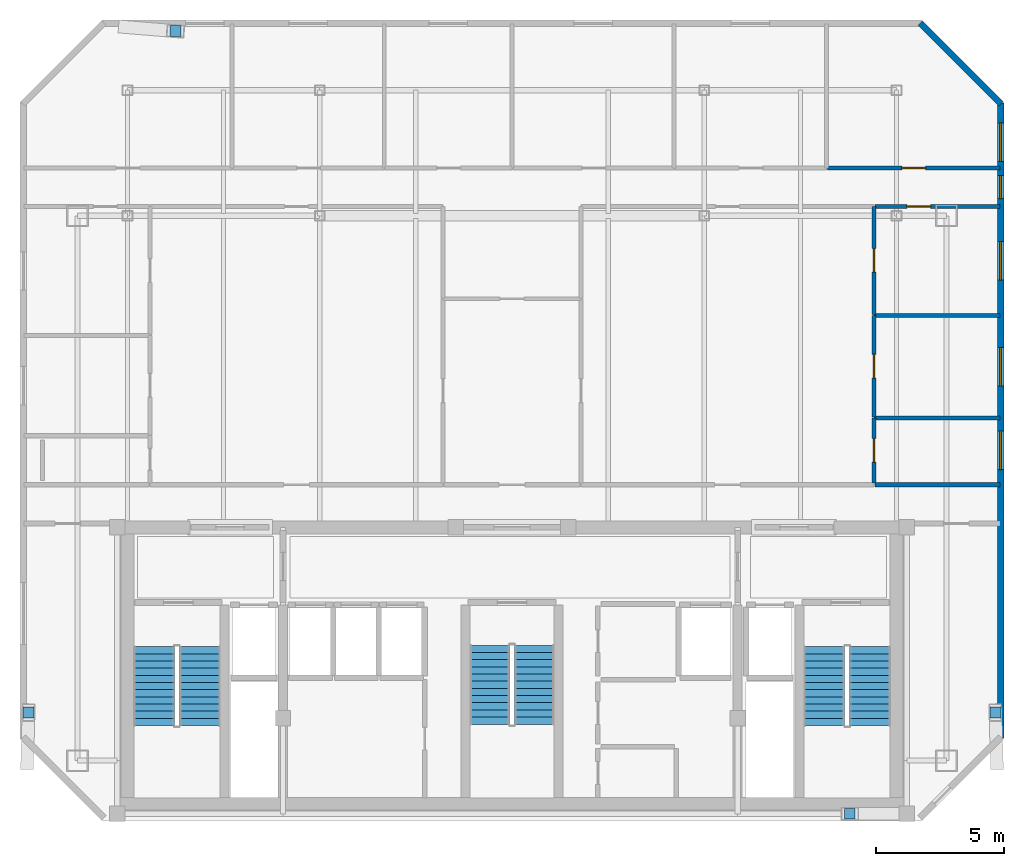
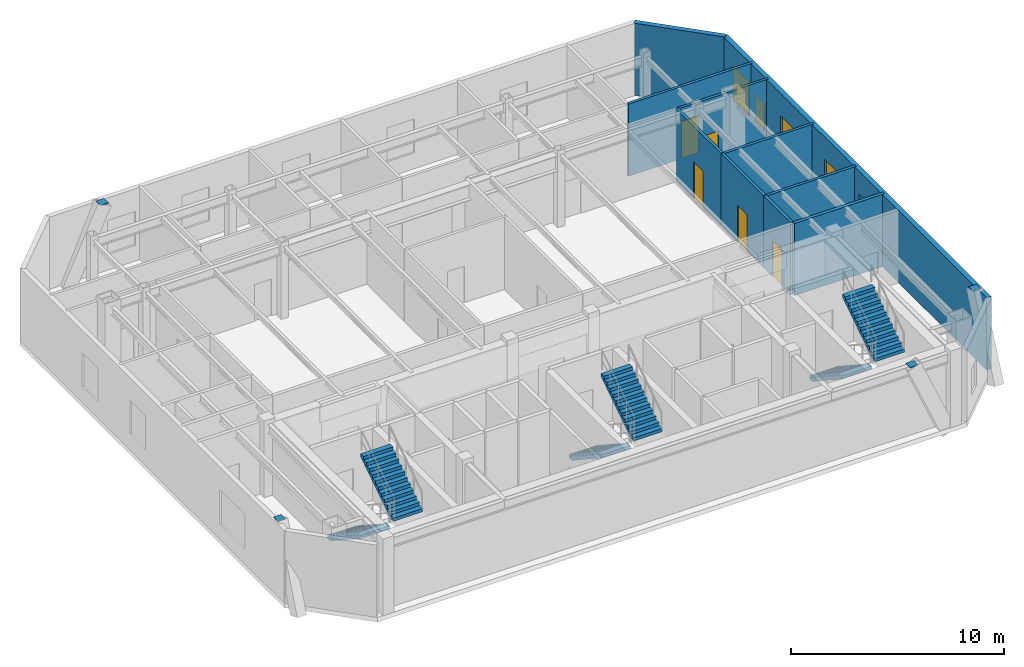
# One storey, part 5 of 6: 10 walls, 6 stair flights, 5 doors, 5 windows, 4 discrete accessories, 10 openings, 3 elements without a shape of their own.
"""IFC4 building model written with IfcOpenShell, lengths in metres."""

from ifc_helpers import new_model, si_unit, direction, frame, frame_2d, origin, origin_2d, place, context, subcontext, project, spatial, polyline, rectangle, outline, extrude, material, layer, layer_set, type_object, element, fill, aggregate, save


model = new_model("IFC4")

# Units and contexts
model_context = context("Model", 3, precision=1e-05, world=origin(), true_north=direction((0.0, 1.0)))
body_context = subcontext(model_context, "Body", "Model", "MODEL_VIEW")
ifc_project = project(units=[si_unit("LENGTHUNIT", "METRE"), si_unit("AREAUNIT", "SQUARE_METRE"), si_unit("VOLUMEUNIT", "CUBIC_METRE"), si_unit("PLANEANGLEUNIT", "RADIAN"), si_unit("MASSUNIT", "GRAM", prefix="KILO")], contexts=[model_context])

# Site, building, storey
site_placement = place(None, origin())
site = spatial("IfcSite", under=ifc_project, at=site_placement, CompositionType="ELEMENT")
building_placement = place(site_placement, origin())
building = spatial("IfcBuilding", under=site, at=building_placement, Name="Ventersveld Concourse Tower", CompositionType="ELEMENT")
storey_placement = place(building_placement, frame((0.0, 0.0, 349.050048828125)))
storey = spatial("IfcBuildingStorey", under=building, at=storey_placement, Name="L86", CompositionType="ELEMENT", Elevation=349.050048828125)

# Wall
ifc_material_1 = material(Name="Fire-rated autoclaved aerated masonry blockwork", Category="masonry")
ifc_layer_1 = layer(ifc_material_1, 0.179931640625)
ifc_layer_set_1 = layer_set([ifc_layer_1], Name="Fire-rated autoclaved aerated masonry blockwork")
wall_type_1 = type_object("IfcWallType", Name="WL-CORR-180", PredefinedType="PARTITIONING", material=ifc_layer_set_1)
wall_1_placement = place(storey_placement, frame((42.9033203125, 13.114990234375, 0.0), z_axis=(0.0, 0.0, 1.0), x_axis=(1.0, 0.0, 0.0)))
element("IfcWall", 1, at=wall_1_placement, inside=storey, type_object=wall_type_1, Name="L86 Interior Partition SP-L86-COR-SP-L86-86N1-KIT", PredefinedType="PARTITIONING", context=body_context, shape_type="SweptSolid", body=[
    extrude(rectangle(XDim=4.885498046875, YDim=0.179931640625, at=frame_2d((2.44287109375, 0.0))), origin(), (0.0, 0.0, 1.0), 4.139892578125),
])

# Wall, opening, door
ifc_material_2 = material(Name="Autoclaved aerated masonry blockwork", Category="masonry")
ifc_layer_2 = layer(ifc_material_2, 0.14990234375)
ifc_layer_set_2 = layer_set([ifc_layer_2], Name="Autoclaved aerated masonry blockwork")
wall_type_2 = type_object("IfcWallType", Name="WL-INT-150", PredefinedType="PARTITIONING", material=ifc_layer_set_2)
wall_2_placement = place(storey_placement, frame((42.868408203125, 13.18505859375, 0.0), z_axis=(0.0, 0.0, 1.0), x_axis=(0.0, 1.0, 0.0)))
wall_2 = element("IfcWall", 2, at=wall_2_placement, inside=storey, type_object=wall_type_2, Name="L86 Interior Partition SP-L86-86N1-EGAL1-SP-L86-86N1-KIT", PredefinedType="PARTITIONING", context=body_context, shape_type="SweptSolid", body=[
    extrude(rectangle(XDim=2.531494140625, YDim=0.14990234375, at=frame_2d((1.265625, 0.0))), origin(), (0.0, 0.0, 1.0), 4.139892578125),
])
opening_1_placement = place(wall_2_placement, frame((0.8056640625, 0.0, 0.0)))
opening_1 = element("IfcOpeningElement", 3, at=opening_1_placement, cuts=wall_2, Name="Opening ID1", PredefinedType="OPENING", context=body_context, shape_type="SweptSolid", body=[
    extrude(rectangle(XDim=0.919921875, YDim=2.10009765625, at=frame_2d((0.4599609375, 1.050048828125))), frame((0.0, 0.0849609375, 0.0), z_axis=(0.0, -1.0, 0.0), x_axis=(1.0, 0.0, 0.0)), (0.0, 0.0, 1.0), 0.169921875),
])
ifc_material_3 = material(Name="Solid-core hardwood veneer timber", Category="wood")
door_type = type_object("IfcDoorType", Name="DR-ROOM-092", OperationType="NOTDEFINED", PredefinedType="DOOR", material=ifc_material_3)
door_1_placement = place(opening_1_placement, origin())
door_1 = element("IfcDoor", 4, at=door_1_placement, inside=storey, type_object=door_type, Name="L86 Interior Door SP-L86-86N1-EGAL1 to SP-L86-86N1-KIT (D-L86-3852)", OperationType="SINGLE_SWING_RIGHT", OverallHeight=2.10009765625, OverallWidth=0.919921875, PredefinedType="DOOR", context=body_context, shape_type="SweptSolid", body=[
    extrude(rectangle(XDim=0.919921875, YDim=2.10009765625, at=frame_2d((0.4599609375, 1.050048828125))), frame((0.0, 0.02490234375, 0.0), z_axis=(0.0, -1.0, 0.0), x_axis=(1.0, 0.0, 0.0)), (0.0, 0.0, 1.0), 0.050048828125),
])
fill(opening_1, door_1)

wall_3_placement = place(storey_placement, frame((42.868408203125, 15.74658203125, 0.0), z_axis=(0.0, 0.0, 1.0), x_axis=(0.0, 1.0, 0.0)))
wall_3 = element("IfcWall", 5, at=wall_3_placement, inside=storey, type_object=wall_type_2, Name="L86 Interior Partition SP-L86-86N1-EGAL1-SP-L86-86N1-OFFR1", PredefinedType="PARTITIONING", context=body_context, shape_type="SweptSolid", body=[
    extrude(rectangle(XDim=3.974609375, YDim=0.14990234375, at=frame_2d((1.9873046875, 0.0))), origin(), (0.0, 0.0, 1.0), 4.139892578125),
])
opening_2_placement = place(wall_3_placement, frame((1.52734375, 0.0, 0.0)))
opening_2 = element("IfcOpeningElement", 6, at=opening_2_placement, cuts=wall_3, Name="Opening ID1", PredefinedType="OPENING", context=body_context, shape_type="SweptSolid", body=[
    extrude(rectangle(XDim=0.919921875, YDim=2.10009765625, at=frame_2d((0.4599609375, 1.050048828125))), frame((0.0, 0.0849609375, 0.0), z_axis=(0.0, -1.0, 0.0), x_axis=(1.0, 0.0, 0.0)), (0.0, 0.0, 1.0), 0.169921875),
])
door_2_placement = place(opening_2_placement, origin())
door_2 = element("IfcDoor", 7, at=door_2_placement, inside=storey, type_object=door_type, Name="L86 Interior Door SP-L86-86N1-EGAL1 to SP-L86-86N1-OFFR1 (D-L86-3853)", OperationType="SINGLE_SWING_LEFT", OverallHeight=2.10009765625, OverallWidth=0.919921875, PredefinedType="DOOR", context=body_context, shape_type="SweptSolid", body=[
    extrude(rectangle(XDim=0.919921875, YDim=2.10009765625, at=frame_2d((0.4599609375, 1.050048828125))), frame((0.0, 0.02490234375, 0.0), z_axis=(0.0, -1.0, 0.0), x_axis=(1.0, 0.0, 0.0)), (0.0, 0.0, 1.0), 0.050048828125),
])
fill(opening_2, door_2)

wall_4_placement = place(storey_placement, frame((42.868408203125, 19.751220703125, 0.0), z_axis=(0.0, 0.0, 1.0), x_axis=(0.0, 1.0, 0.0)))
wall_4 = element("IfcWall", 8, at=wall_4_placement, inside=storey, type_object=wall_type_2, Name="L86 Interior Partition SP-L86-86N1-EGAL1-SP-L86-86N1-MEDR3", PredefinedType="PARTITIONING", context=body_context, shape_type="SweptSolid", body=[
    extrude(rectangle(XDim=4.220703125, YDim=0.14990234375, at=frame_2d((2.1103515625, 0.0))), origin(), (0.0, 0.0, 1.0), 4.139892578125),
])
opening_3_placement = place(wall_4_placement, frame((1.650390625, 0.0, 0.0)))
opening_3 = element("IfcOpeningElement", 9, at=opening_3_placement, cuts=wall_4, Name="Opening ID1", PredefinedType="OPENING", context=body_context, shape_type="SweptSolid", body=[
    extrude(rectangle(XDim=0.919921875, YDim=2.10009765625, at=frame_2d((0.4599609375, 1.050048828125))), frame((0.0, 0.0849609375, 0.0), z_axis=(0.0, -1.0, 0.0), x_axis=(1.0, 0.0, 0.0)), (0.0, 0.0, 1.0), 0.169921875),
])
door_3_placement = place(opening_3_placement, origin())
door_3 = element("IfcDoor", 10, at=door_3_placement, inside=storey, type_object=door_type, Name="L86 Interior Door SP-L86-86N1-EGAL1 to SP-L86-86N1-MEDR3 (D-L86-3854)", OperationType="SINGLE_SWING_RIGHT", OverallHeight=2.10009765625, OverallWidth=0.919921875, PredefinedType="DOOR", context=body_context, shape_type="SweptSolid", body=[
    extrude(rectangle(XDim=0.919921875, YDim=2.10009765625, at=frame_2d((0.4599609375, 1.050048828125))), frame((0.0, 0.02490234375, 0.0), z_axis=(0.0, -1.0, 0.0), x_axis=(1.0, 0.0, 0.0)), (0.0, 0.0, 1.0), 0.050048828125),
])
fill(opening_3, door_3)

wall_5_placement = place(storey_placement, frame((42.9033203125, 23.966796875, 0.0), z_axis=(0.0, 0.0, 1.0), x_axis=(1.0, 0.0, 0.0)))
wall_5 = element("IfcWall", 11, at=wall_5_placement, inside=storey, type_object=wall_type_2, Name="L86 Interior Partition SP-L86-86N1-LIV-SP-L86-86N1-MEDR3", PredefinedType="PARTITIONING", context=body_context, shape_type="SweptSolid", body=[
    extrude(rectangle(XDim=4.885498046875, YDim=0.14990234375, at=frame_2d((2.44287109375, 0.0))), origin(), (0.0, 0.0, 1.0), 4.139892578125),
])
opening_4_placement = place(wall_5_placement, frame((1.25, 0.0, 0.0)))
opening_4 = element("IfcOpeningElement", 12, at=opening_4_placement, cuts=wall_5, Name="Opening ID1", PredefinedType="OPENING", context=body_context, shape_type="SweptSolid", body=[
    extrude(rectangle(XDim=0.919921875, YDim=2.10009765625, at=frame_2d((0.4599609375, 1.050048828125))), frame((0.0, 0.0849609375, 0.0), z_axis=(0.0, -1.0, 0.0), x_axis=(1.0, 0.0, 0.0)), (0.0, 0.0, 1.0), 0.169921875),
])
door_4_placement = place(opening_4_placement, origin())
door_4 = element("IfcDoor", 13, at=door_4_placement, inside=storey, type_object=door_type, Name="L86 Interior Door SP-L86-86N1-LIV to SP-L86-86N1-MEDR3 (D-L86-3857)", OperationType="SINGLE_SWING_LEFT", OverallHeight=2.10009765625, OverallWidth=0.919921875, PredefinedType="DOOR", context=body_context, shape_type="SweptSolid", body=[
    extrude(rectangle(XDim=0.919921875, YDim=2.10009765625, at=frame_2d((0.4599609375, 1.050048828125))), frame((0.0, 0.02490234375, 0.0), z_axis=(0.0, -1.0, 0.0), x_axis=(1.0, 0.0, 0.0)), (0.0, 0.0, 1.0), 0.050048828125),
])
fill(opening_4, door_4)

wall_6_placement = place(storey_placement, frame((41.050537109375, 25.466796875, 0.0), z_axis=(0.0, 0.0, 1.0), x_axis=(1.0, 0.0, 0.0)))
wall_6 = element("IfcWall", 14, at=wall_6_placement, inside=storey, type_object=wall_type_2, Name="L86 Interior Partition SP-L86-86N1-LIV-SP-L86-86N1-BR6", PredefinedType="PARTITIONING", context=body_context, shape_type="SweptSolid", body=[
    extrude(rectangle(XDim=6.73828125, YDim=0.14990234375, at=frame_2d((3.369140625, 0.0))), origin(), (0.0, 0.0, 1.0), 4.139892578125),
])
opening_5_placement = place(wall_6_placement, frame((2.9091796875, 0.0, 0.0)))
opening_5 = element("IfcOpeningElement", 15, at=opening_5_placement, cuts=wall_6, Name="Opening ID1", PredefinedType="OPENING", context=body_context, shape_type="SweptSolid", body=[
    extrude(rectangle(XDim=0.919921875, YDim=2.10009765625, at=frame_2d((0.4599609375, 1.050048828125))), frame((0.0, 0.0849609375, 0.0), z_axis=(0.0, -1.0, 0.0), x_axis=(1.0, 0.0, 0.0)), (0.0, 0.0, 1.0), 0.169921875),
])
door_5_placement = place(opening_5_placement, origin())
door_5 = element("IfcDoor", 16, at=door_5_placement, inside=storey, type_object=door_type, Name="L86 Interior Door SP-L86-86N1-LIV to SP-L86-86N1-BR6 (D-L86-3863)", OperationType="SINGLE_SWING_LEFT", OverallHeight=2.10009765625, OverallWidth=0.919921875, PredefinedType="DOOR", context=body_context, shape_type="SweptSolid", body=[
    extrude(rectangle(XDim=0.919921875, YDim=2.10009765625, at=frame_2d((0.4599609375, 1.050048828125))), frame((0.0, 0.02490234375, 0.0), z_axis=(0.0, -1.0, 0.0), x_axis=(1.0, 0.0, 0.0)), (0.0, 0.0, 1.0), 0.050048828125),
])
fill(opening_5, door_5)

# Walls
for number, where, z_axis, x_axis, name in (
    (17, (42.86328125, 15.71142578125, 0.0), (0.0, 0.0, 1.0), (1.0, 0.0, 0.0), "L86 Interior Partition SP-L86-86N1-KIT-SP-L86-86N1-OFFR1"),
    (18, (42.86328125, 19.71630859375, 0.0), (0.0, 0.0, 1.0), (1.0, 0.0, 0.0), "L86 Interior Partition SP-L86-86N1-OFFR1-SP-L86-86N1-MEDR3"),
):
    element("IfcWall", number, at=place(storey_placement, frame(where, z_axis=z_axis, x_axis=x_axis)), inside=storey, type_object=wall_type_2, Name=name, PredefinedType="PARTITIONING", context=body_context, shape_type="SweptSolid", body=[
        extrude(rectangle(XDim=4.925537109375, YDim=0.14990234375, at=frame_2d((2.462890625, 0.0))), origin(), (0.0, 0.0, 1.0), 4.139892578125),
    ])

# Wall, openings, windows
ifc_material_4 = material(Name="Precast concrete C45/55", Category="concrete")
ifc_layer_3 = layer(ifc_material_4, 0.260009765625)
ifc_layer_set_3 = layer_set([ifc_layer_3], Name="Precast concrete C45/55")
wall_type_3 = type_object("IfcWallType", Name="WL-PREC-260", PredefinedType="SOLIDWALL", material=ifc_layer_set_3)
wall_7_placement = place(storey_placement, frame((47.808349609375, 3.239990234375, 0.0), z_axis=(0.0, 0.0, 1.0), x_axis=(0.0, 1.0, 0.0)))
wall_7 = element("IfcWall", 19, at=wall_7_placement, inside=storey, type_object=wall_type_3, Name="L86 Highveld Precast Facade Wall E03", PredefinedType="SOLIDWALL", context=body_context, shape_type="SweptSolid", body=[
    extrude(rectangle(XDim=24.7568359375, YDim=0.260009765625, at=frame_2d((12.37841796875, 0.0))), origin(), (0.0, 0.0, 1.0), 4.139892578125),
])
opening_6_placement = place(wall_7_placement, frame((21.02685546875, 0.0, 0.949951171875)))
opening_6 = element("IfcOpeningElement", 20, at=opening_6_placement, cuts=wall_7, Name="Opening W4", PredefinedType="OPENING", context=body_context, shape_type="SweptSolid", body=[
    extrude(rectangle(XDim=0.89990234375, YDim=1.5, at=frame_2d((0.449951171875, 0.75))), frame((0.0, 0.14013671875, 0.0), z_axis=(0.0, -1.0, 0.0), x_axis=(1.0, 0.0, 0.0)), (0.0, 0.0, 1.0), 0.280029296875),
])
opening_7_placement = place(wall_7_placement, frame((10.460693359375, 0.0, 0.89990234375)))
opening_7 = element("IfcOpeningElement", 21, at=opening_7_placement, cuts=wall_7, Name="Opening W1", PredefinedType="OPENING", context=body_context, shape_type="SweptSolid", body=[
    extrude(rectangle(XDim=1.5, YDim=1.949951171875, at=frame_2d((0.75, 0.97509765625))), frame((0.0, 0.14013671875, 0.0), z_axis=(0.0, -1.0, 0.0), x_axis=(1.0, 0.0, 0.0)), (0.0, 0.0, 1.0), 0.280029296875),
])
opening_8_placement = place(wall_7_placement, frame((13.723876953125, 0.0, 0.89990234375)))
opening_8 = element("IfcOpeningElement", 22, at=opening_8_placement, cuts=wall_7, Name="Opening W1", PredefinedType="OPENING", context=body_context, shape_type="SweptSolid", body=[
    extrude(rectangle(XDim=1.5, YDim=1.949951171875, at=frame_2d((0.75, 0.97509765625))), frame((0.0, 0.14013671875, 0.0), z_axis=(0.0, -1.0, 0.0), x_axis=(1.0, 0.0, 0.0)), (0.0, 0.0, 1.0), 0.280029296875),
])
opening_9_placement = place(wall_7_placement, frame((17.8515625, 0.0, 0.89990234375)))
opening_9 = element("IfcOpeningElement", 23, at=opening_9_placement, cuts=wall_7, Name="Opening W1", PredefinedType="OPENING", context=body_context, shape_type="SweptSolid", body=[
    extrude(rectangle(XDim=1.5, YDim=1.949951171875, at=frame_2d((0.75, 0.97509765625))), frame((0.0, 0.14013671875, 0.0), z_axis=(0.0, -1.0, 0.0), x_axis=(1.0, 0.0, 0.0)), (0.0, 0.0, 1.0), 0.280029296875),
])
opening_10_placement = place(wall_7_placement, frame((22.48681640625, 0.0, 0.89990234375)))
opening_10 = element("IfcOpeningElement", 24, at=opening_10_placement, cuts=wall_7, Name="Opening W1", PredefinedType="OPENING", context=body_context, shape_type="SweptSolid", body=[
    extrude(rectangle(XDim=1.5, YDim=1.949951171875, at=frame_2d((0.75, 0.97509765625))), frame((0.0, 0.14013671875, 0.0), z_axis=(0.0, -1.0, 0.0), x_axis=(1.0, 0.0, 0.0)), (0.0, 0.0, 1.0), 0.280029296875),
])
ifc_material_5 = material(Name="Tempered acoustic Low-E IGU", Category="glass")
window_type_1 = type_object("IfcWindowType", Name="WIN-090x150", PartitioningType="SINGLE_PANEL", PredefinedType="WINDOW", material=ifc_material_5)
window_1_placement = place(opening_6_placement, origin())
window_1 = element("IfcWindow", 25, at=window_1_placement, inside=storey, type_object=window_type_1, Name="L86 Punched Low-E Window W-1203", OverallHeight=1.5, OverallWidth=0.89990234375, PartitioningType="SINGLE_PANEL", PredefinedType="WINDOW", context=body_context, shape_type="SweptSolid", body=[
    extrude(rectangle(XDim=0.89990234375, YDim=1.5, at=frame_2d((0.449951171875, 0.75))), frame((0.0, 0.030029296875, 0.0), z_axis=(0.0, -1.0, 0.0), x_axis=(1.0, 0.0, 0.0)), (0.0, 0.0, 1.0), 0.06005859375),
])
fill(opening_6, window_1)
window_type_2 = type_object("IfcWindowType", Name="WIN-150x210", PartitioningType="SINGLE_PANEL", PredefinedType="WINDOW", material=ifc_material_5)
window_2_placement = place(opening_7_placement, origin())
window_2 = element("IfcWindow", 26, at=window_2_placement, inside=storey, type_object=window_type_2, Name="L86 Punched Low-E Window W-1206", OverallHeight=1.949951171875, OverallWidth=1.5, PartitioningType="SINGLE_PANEL", PredefinedType="WINDOW", context=body_context, shape_type="SweptSolid", body=[
    extrude(rectangle(XDim=1.5, YDim=1.949951171875, at=frame_2d((0.75, 0.97509765625))), frame((0.0, 0.030029296875, 0.0), z_axis=(0.0, -1.0, 0.0), x_axis=(1.0, 0.0, 0.0)), (0.0, 0.0, 1.0), 0.06005859375),
])
fill(opening_7, window_2)
window_3_placement = place(opening_8_placement, origin())
window_3 = element("IfcWindow", 27, at=window_3_placement, inside=storey, type_object=window_type_2, Name="L86 Punched Low-E Window W-1207", OverallHeight=1.949951171875, OverallWidth=1.5, PartitioningType="SINGLE_PANEL", PredefinedType="WINDOW", context=body_context, shape_type="SweptSolid", body=[
    extrude(rectangle(XDim=1.5, YDim=1.949951171875, at=frame_2d((0.75, 0.97509765625))), frame((0.0, 0.030029296875, 0.0), z_axis=(0.0, -1.0, 0.0), x_axis=(1.0, 0.0, 0.0)), (0.0, 0.0, 1.0), 0.06005859375),
])
fill(opening_8, window_3)
window_4_placement = place(opening_9_placement, origin())
window_4 = element("IfcWindow", 28, at=window_4_placement, inside=storey, type_object=window_type_2, Name="L86 Punched Low-E Window W-1208", OverallHeight=1.949951171875, OverallWidth=1.5, PartitioningType="SINGLE_PANEL", PredefinedType="WINDOW", context=body_context, shape_type="SweptSolid", body=[
    extrude(rectangle(XDim=1.5, YDim=1.949951171875, at=frame_2d((0.75, 0.97509765625))), frame((0.0, 0.030029296875, 0.0), z_axis=(0.0, -1.0, 0.0), x_axis=(1.0, 0.0, 0.0)), (0.0, 0.0, 1.0), 0.06005859375),
])
fill(opening_9, window_4)
window_5_placement = place(opening_10_placement, origin())
window_5 = element("IfcWindow", 29, at=window_5_placement, inside=storey, type_object=window_type_2, Name="L86 Punched Low-E Window W-1214", OverallHeight=1.949951171875, OverallWidth=1.5, PartitioningType="SINGLE_PANEL", PredefinedType="WINDOW", context=body_context, shape_type="SweptSolid", body=[
    extrude(rectangle(XDim=1.5, YDim=1.949951171875, at=frame_2d((0.75, 0.97509765625))), frame((0.0, 0.030029296875, 0.0), z_axis=(0.0, -1.0, 0.0), x_axis=(1.0, 0.0, 0.0)), (0.0, 0.0, 1.0), 0.06005859375),
])
fill(opening_10, window_5)

# Wall
wall_8_placement = place(storey_placement, frame((47.818115234375, 27.973388671875, 0.0), z_axis=(0.0, 0.0, 1.0), x_axis=(-0.707106781187, 0.707106781187, 0.0)))
element("IfcWall", 30, at=wall_8_placement, inside=storey, type_object=wall_type_3, Name="L86 Highveld Precast Facade Wall E04", PredefinedType="SOLIDWALL", context=body_context, shape_type="SweptSolid", body=[
    extrude(rectangle(XDim=4.4453125, YDim=0.260009765625, at=frame_2d((2.22265625, 0.0))), origin(), (0.0, 0.0, 1.0), 4.139892578125),
])

# Stair, stair flights
ifc_material_6 = material(Name="Concrete C50/60", Category="concrete")
stair_type_1 = type_object("IfcStairType", Name="ST-DOG-155", PredefinedType="HALF_TURN_STAIR", material=ifc_material_6)
stair_1_placement = place(storey_placement, origin())
stair_1 = element("IfcStair", 31, at=stair_1_placement, inside=storey, type_object=stair_type_1, Name="L86 Protected Central Core Escape Stair ST-03", PredefinedType="HALF_TURN_STAIR")
stair_flight_type_1 = type_object("IfcStairFlightType", Name="STF-RC-155", PredefinedType="STRAIGHT", material=ifc_material_6)
stair_flight_1_placement = place(storey_placement, frame((27.875, 6.85009765625, 0.0), z_axis=(0.0, 0.0, 1.0), x_axis=(0.0, -1.0, 0.0)))
stair_flight_1 = element("IfcStairFlight", 32, at=stair_flight_1_placement, type_object=stair_flight_type_1, Name="ST-03 flight 1", NumberOfRisers=12, NumberOfTreads=11, PredefinedType="STRAIGHT", RiserHeight=0.183333333, TreadLength=0.28, context=body_context, shape_type="SweptSolid", body=[
    extrude(outline(polyline([(0.0, 0.0), (0.0, 0.183349609375), (0.280029296875, 0.183349609375), (0.280029296875, 0.36669921875), (0.56005859375, 0.36669921875), (0.56005859375, 0.550048828125), (0.840087890625, 0.550048828125), (0.840087890625, 0.7333984375), (1.1201171875, 0.7333984375), (1.1201171875, 0.916748046875), (1.39990234375, 0.916748046875), (1.39990234375, 1.10009765625), (1.679931640625, 1.10009765625), (1.679931640625, 1.283447265625), (1.9599609375, 1.283447265625), (1.9599609375, 1.466552734375), (2.239990234375, 1.466552734375), (2.239990234375, 1.64990234375), (2.52001953125, 1.64990234375), (2.52001953125, 1.833251953125), (2.800048828125, 1.833251953125), (2.800048828125, 2.0166015625), (3.080078125, 2.0166015625), (3.080078125, 2.199951171875), (3.080078125, 1.83740234375), (0.273681640625, 0.0), (0.0, 0.0)])), frame((0.0, 0.77490234375, 0.0), z_axis=(0.0, -1.0, 0.0), x_axis=(1.0, 0.0, 0.0)), (0.0, 0.0, 1.0), 1.550048828125),
])
stair_flight_2_placement = place(storey_placement, frame((29.625, 3.77001953125, 2.199951171875), z_axis=(0.0, 0.0, 1.0), x_axis=(0.0, 1.0, 0.0)))
stair_flight_2 = element("IfcStairFlight", 33, at=stair_flight_2_placement, type_object=stair_flight_type_1, Name="ST-03 flight 2", NumberOfRisers=12, NumberOfTreads=11, PredefinedType="STRAIGHT", RiserHeight=0.183333333, TreadLength=0.28, context=body_context, shape_type="SweptSolid", body=[
    extrude(outline(polyline([(0.0, 0.0), (0.0, 0.183349609375), (0.280029296875, 0.183349609375), (0.280029296875, 0.36669921875), (0.56005859375, 0.36669921875), (0.56005859375, 0.550048828125), (0.840087890625, 0.550048828125), (0.840087890625, 0.7333984375), (1.1201171875, 0.7333984375), (1.1201171875, 0.916748046875), (1.39990234375, 0.916748046875), (1.39990234375, 1.10009765625), (1.679931640625, 1.10009765625), (1.679931640625, 1.283447265625), (1.9599609375, 1.283447265625), (1.9599609375, 1.466552734375), (2.239990234375, 1.466552734375), (2.239990234375, 1.64990234375), (2.52001953125, 1.64990234375), (2.52001953125, 1.833251953125), (2.800048828125, 1.833251953125), (2.800048828125, 2.0166015625), (3.080078125, 2.0166015625), (3.080078125, 2.199951171875), (3.080078125, 1.83740234375), (0.273681640625, 0.0), (0.0, 0.0)])), frame((0.0, 0.77490234375, 0.0), z_axis=(0.0, -1.0, 0.0), x_axis=(1.0, 0.0, 0.0)), (0.0, 0.0, 1.0), 1.550048828125),
])
aggregate(stair_1, [stair_flight_1, stair_flight_2])

stair_type_2 = type_object("IfcStairType", Name="ST-DOG-160", PredefinedType="HALF_TURN_STAIR", material=ifc_material_6)
stair_2_placement = place(storey_placement, origin())
stair_2 = element("IfcStair", 34, at=stair_2_placement, inside=storey, type_object=stair_type_2, Name="L86 Protected Tower Escape Stair ST-01", PredefinedType="HALF_TURN_STAIR")
stair_flight_type_2 = type_object("IfcStairFlightType", Name="STF-RC-160", PredefinedType="STRAIGHT", material=ifc_material_6)
stair_flight_3_placement = place(storey_placement, frame((14.780029296875, 6.800048828125, 0.0), z_axis=(0.0, 0.0, 1.0), x_axis=(0.0, -1.0, 0.0)))
stair_flight_3 = element("IfcStairFlight", 35, at=stair_flight_3_placement, type_object=stair_flight_type_2, Name="ST-01 flight 1", NumberOfRisers=12, NumberOfTreads=11, PredefinedType="STRAIGHT", RiserHeight=0.183333333, TreadLength=0.28, context=body_context, shape_type="SweptSolid", body=[
    extrude(outline(polyline([(0.0, 0.0), (0.0, 0.183349609375), (0.280029296875, 0.183349609375), (0.280029296875, 0.36669921875), (0.56005859375, 0.36669921875), (0.56005859375, 0.550048828125), (0.840087890625, 0.550048828125), (0.840087890625, 0.7333984375), (1.1201171875, 0.7333984375), (1.1201171875, 0.916748046875), (1.39990234375, 0.916748046875), (1.39990234375, 1.10009765625), (1.679931640625, 1.10009765625), (1.679931640625, 1.283447265625), (1.9599609375, 1.283447265625), (1.9599609375, 1.466552734375), (2.239990234375, 1.466552734375), (2.239990234375, 1.64990234375), (2.52001953125, 1.64990234375), (2.52001953125, 1.833251953125), (2.800048828125, 1.833251953125), (2.800048828125, 2.0166015625), (3.080078125, 2.0166015625), (3.080078125, 2.199951171875), (3.080078125, 1.83740234375), (0.273681640625, 0.0), (0.0, 0.0)])), frame((0.0, 0.800048828125, 0.0), z_axis=(0.0, -1.0, 0.0), x_axis=(1.0, 0.0, 0.0)), (0.0, 0.0, 1.0), 1.60009765625),
])
stair_flight_4_placement = place(storey_placement, frame((16.580078125, 3.719970703125, 2.199951171875), z_axis=(0.0, 0.0, 1.0), x_axis=(0.0, 1.0, 0.0)))
stair_flight_4 = element("IfcStairFlight", 36, at=stair_flight_4_placement, type_object=stair_flight_type_2, Name="ST-01 flight 2", NumberOfRisers=12, NumberOfTreads=11, PredefinedType="STRAIGHT", RiserHeight=0.183333333, TreadLength=0.28, context=body_context, shape_type="SweptSolid", body=[
    extrude(outline(polyline([(0.0, 0.0), (0.0, 0.183349609375), (0.280029296875, 0.183349609375), (0.280029296875, 0.36669921875), (0.56005859375, 0.36669921875), (0.56005859375, 0.550048828125), (0.840087890625, 0.550048828125), (0.840087890625, 0.7333984375), (1.1201171875, 0.7333984375), (1.1201171875, 0.916748046875), (1.39990234375, 0.916748046875), (1.39990234375, 1.10009765625), (1.679931640625, 1.10009765625), (1.679931640625, 1.283447265625), (1.9599609375, 1.283447265625), (1.9599609375, 1.466552734375), (2.239990234375, 1.466552734375), (2.239990234375, 1.64990234375), (2.52001953125, 1.64990234375), (2.52001953125, 1.833251953125), (2.800048828125, 1.833251953125), (2.800048828125, 2.0166015625), (3.080078125, 2.0166015625), (3.080078125, 2.199951171875), (3.080078125, 1.83740234375), (0.273681640625, 0.0), (0.0, 0.0)])), frame((0.0, 0.800048828125, 0.0), z_axis=(0.0, -1.0, 0.0), x_axis=(1.0, 0.0, 0.0)), (0.0, 0.0, 1.0), 1.60009765625),
])
aggregate(stair_2, [stair_flight_3, stair_flight_4])

stair_3_placement = place(storey_placement, origin())
stair_3 = element("IfcStair", 37, at=stair_3_placement, inside=storey, type_object=stair_type_2, Name="L86 Protected Tower Escape Stair ST-02", PredefinedType="HALF_TURN_STAIR")
stair_flight_5_placement = place(storey_placement, frame((40.919921875, 6.800048828125, 0.0), z_axis=(0.0, 0.0, 1.0), x_axis=(0.0, -1.0, 0.0)))
stair_flight_5 = element("IfcStairFlight", 38, at=stair_flight_5_placement, type_object=stair_flight_type_2, Name="ST-02 flight 1", NumberOfRisers=12, NumberOfTreads=11, PredefinedType="STRAIGHT", RiserHeight=0.183333333, TreadLength=0.28, context=body_context, shape_type="SweptSolid", body=[
    extrude(outline(polyline([(0.0, 0.0), (0.0, 0.183349609375), (0.280029296875, 0.183349609375), (0.280029296875, 0.36669921875), (0.56005859375, 0.36669921875), (0.56005859375, 0.550048828125), (0.840087890625, 0.550048828125), (0.840087890625, 0.7333984375), (1.1201171875, 0.7333984375), (1.1201171875, 0.916748046875), (1.39990234375, 0.916748046875), (1.39990234375, 1.10009765625), (1.679931640625, 1.10009765625), (1.679931640625, 1.283447265625), (1.9599609375, 1.283447265625), (1.9599609375, 1.466552734375), (2.239990234375, 1.466552734375), (2.239990234375, 1.64990234375), (2.52001953125, 1.64990234375), (2.52001953125, 1.833251953125), (2.800048828125, 1.833251953125), (2.800048828125, 2.0166015625), (3.080078125, 2.0166015625), (3.080078125, 2.199951171875), (3.080078125, 1.83740234375), (0.273681640625, 0.0), (0.0, 0.0)])), frame((0.0, 0.800048828125, 0.0), z_axis=(0.0, -1.0, 0.0), x_axis=(1.0, 0.0, 0.0)), (0.0, 0.0, 1.0), 1.60009765625),
])
stair_flight_6_placement = place(storey_placement, frame((42.719970703125, 3.719970703125, 2.199951171875), z_axis=(0.0, 0.0, 1.0), x_axis=(0.0, 1.0, 0.0)))
stair_flight_6 = element("IfcStairFlight", 39, at=stair_flight_6_placement, type_object=stair_flight_type_2, Name="ST-02 flight 2", NumberOfRisers=12, NumberOfTreads=11, PredefinedType="STRAIGHT", RiserHeight=0.183333333, TreadLength=0.28, context=body_context, shape_type="SweptSolid", body=[
    extrude(outline(polyline([(0.0, 0.0), (0.0, 0.183349609375), (0.280029296875, 0.183349609375), (0.280029296875, 0.36669921875), (0.56005859375, 0.36669921875), (0.56005859375, 0.550048828125), (0.840087890625, 0.550048828125), (0.840087890625, 0.7333984375), (1.1201171875, 0.7333984375), (1.1201171875, 0.916748046875), (1.39990234375, 0.916748046875), (1.39990234375, 1.10009765625), (1.679931640625, 1.10009765625), (1.679931640625, 1.283447265625), (1.9599609375, 1.283447265625), (1.9599609375, 1.466552734375), (2.239990234375, 1.466552734375), (2.239990234375, 1.64990234375), (2.52001953125, 1.64990234375), (2.52001953125, 1.833251953125), (2.800048828125, 1.833251953125), (2.800048828125, 2.0166015625), (3.080078125, 2.0166015625), (3.080078125, 2.199951171875), (3.080078125, 1.83740234375), (0.273681640625, 0.0), (0.0, 0.0)])), frame((0.0, 0.800048828125, 0.0), z_axis=(0.0, -1.0, 0.0), x_axis=(1.0, 0.0, 0.0)), (0.0, 0.0, 1.0), 1.60009765625),
])
aggregate(stair_3, [stair_flight_5, stair_flight_6])

# Discrete accessories
ifc_material_7 = material(Name="Structural steel S355J2", Category="steel")
discrete_accessory_type = type_object("IfcDiscreteAccessoryType", Name="CONN-BRACE-ECP1", PredefinedType="BRACKET", material=ifc_material_7)
for number, where, z_axis, x_axis, name in (
    (40, (15.625, 30.802734375, 4.119873046875), (0.0, 0.0, 1.0), (1.0, 0.0, 0.0), "L86 Steel Brace End Connection Plate ECP1-0532"),
    (41, (41.925048828125, 0.280029296875, 4.119873046875), (0.0, 0.0, 1.0), (1.0, 0.0, 0.0), "L86 Steel Brace End Connection Plate ECP1-0536"),
    (42, (9.89501953125, 4.22509765625, 4.119873046875), (0.0, 0.0, 1.0), (1.0, 0.0, 0.0), "L86 Steel Brace End Connection Plate ECP1-0540"),
    (43, (47.60498046875, 4.22509765625, 4.119873046875), (0.0, 0.0, 1.0), (1.0, 0.0, 0.0), "L86 Steel Brace End Connection Plate ECP1-0544"),
):
    element("IfcDiscreteAccessory", number, at=place(storey_placement, frame(where, z_axis=z_axis, x_axis=x_axis)), inside=storey, type_object=discrete_accessory_type, Name=name, PredefinedType="BRACKET", context=body_context, shape_type="SweptSolid", body=[
        extrude(rectangle(XDim=0.419921875, YDim=0.419921875, at=origin_2d()), origin(), (0.0, 0.0, 1.0), 0.0400390625),
    ])

save(model, "model.ifc")
